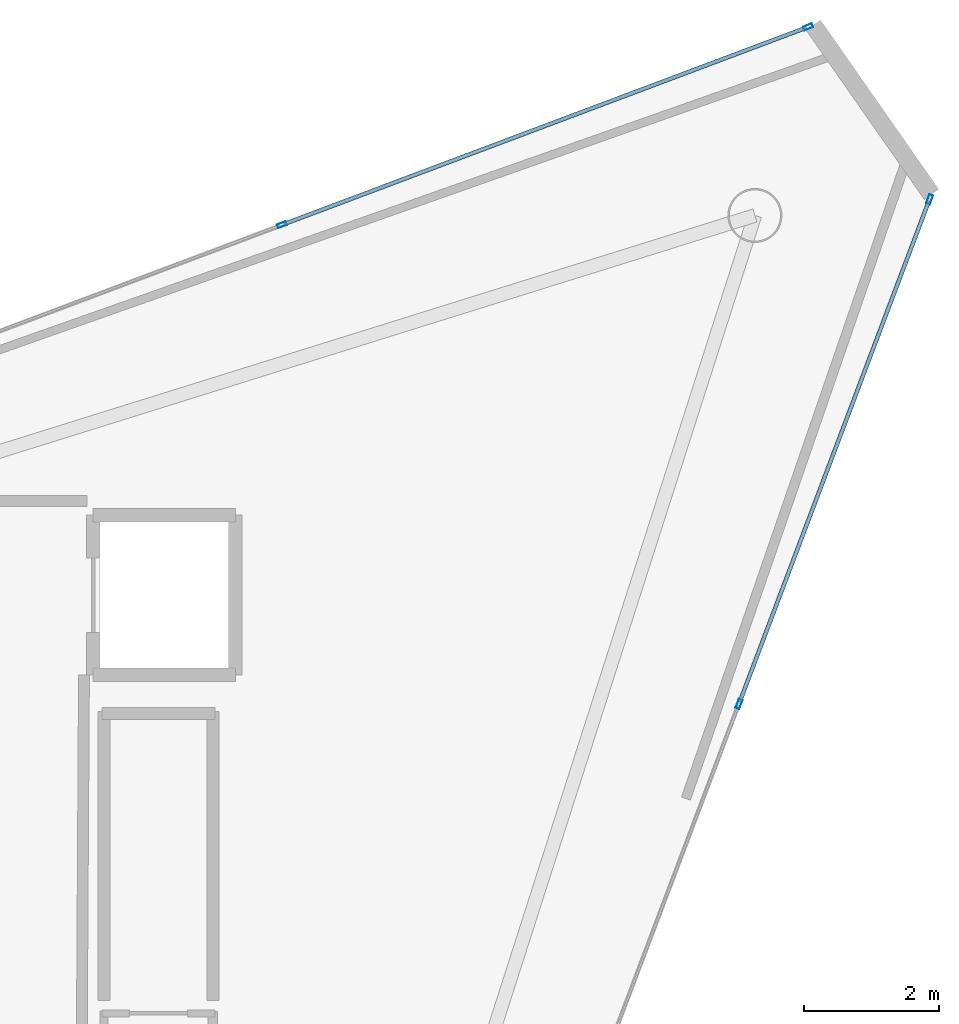
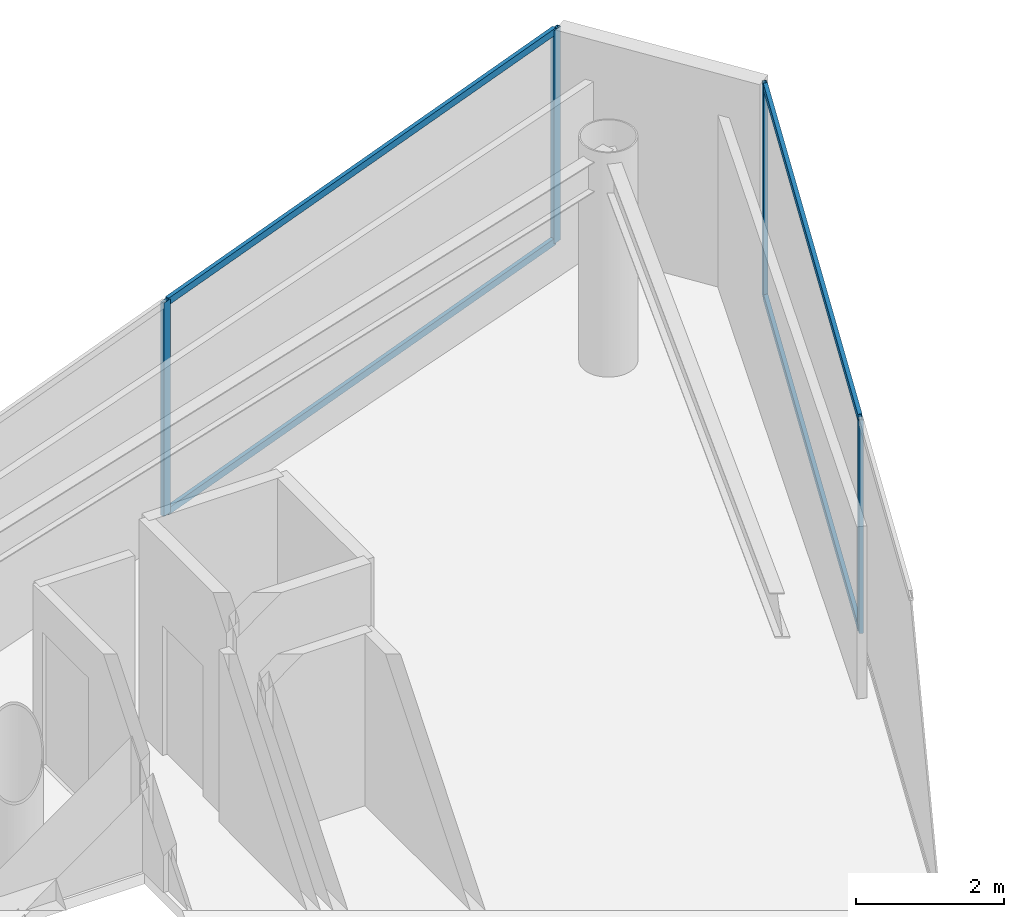
# One storey, part 14 of 19: 8 members, 2 elements without a shape of their own.
"""IFC4 building model written with IfcOpenShell, lengths in metres."""

from ifc_helpers import new_model, si_unit, direction, frame, origin, origin_2d, place, context, subcontext, project, spatial, hollow_rectangle, extrude, material, layer, layer_set, material_profile, profile_set, type_object, element, aggregate, save


model = new_model("IFC4")

# Units and contexts
model_context = context("Model", 3, precision=1e-05, world=origin(), true_north=direction((0.0, 1.0)))
body_context = subcontext(model_context, "Body", "Model", "MODEL_VIEW")
ifc_project = project(units=[si_unit("LENGTHUNIT", "METRE"), si_unit("AREAUNIT", "SQUARE_METRE"), si_unit("VOLUMEUNIT", "CUBIC_METRE"), si_unit("PLANEANGLEUNIT", "RADIAN"), si_unit("MASSUNIT", "GRAM", prefix="KILO")], contexts=[model_context])

# Site, building, storey
site_placement = place(None, origin())
site = spatial("IfcSite", under=ifc_project, at=site_placement, CompositionType="ELEMENT")
building_placement = place(site_placement, origin())
building = spatial("IfcBuilding", under=site, at=building_placement, Name="Qianvela Tower", CompositionType="ELEMENT")
storey_placement = place(building_placement, frame((0.0, 0.0, 340.699951171875)))
storey = spatial("IfcBuildingStorey", under=building, at=storey_placement, Name="L88", CompositionType="ELEMENT", Elevation=340.699951171875)

# Curtain wall, members
ifc_material_1 = material(Name="Anodised Architectural Aluminium and Low-E Glass", Category="aluminium")
ifc_layer = layer(ifc_material_1, 0.14990234375)
ifc_layer_set = layer_set([ifc_layer], Name="Anodised Architectural Aluminium and Low-E Glass")
curtain_wall_type = type_object("IfcCurtainWallType", Name="CW-COLIV-Z78", PredefinedType="USERDEFINED", material=ifc_layer_set)
curtain_wall_1_placement = place(storey_placement, origin())
curtain_wall_1 = element("IfcCurtainWall", 1, at=curtain_wall_1_placement, inside=storey, type_object=curtain_wall_type, Name="L88 CW-COLIV-Z78 Curtain Wall 02A", ObjectType="CURTAIN_WALL_SYSTEM", PredefinedType="USERDEFINED")
ifc_material_2 = material(Name="Anodised Architectural Aluminium 6063-T6", Category="aluminium")
ifc_material_profile_1 = material_profile(ifc_material_2, hollow_rectangle(XDim=0.06005859375, YDim=0.139892578125, WallThickness=0.00439453125, at=origin_2d()), Name="ALU-MULL-60x140")
ifc_profile_set_1 = profile_set([ifc_material_profile_1], Name="Anodised Architectural Aluminium 6063-T6")
member_type_1 = type_object("IfcMemberType", Name="CW-COLIV-Z78-MULL", PredefinedType="MULLION", material=ifc_profile_set_1)
member_1_placement = place(storey_placement, frame((52.014404296875, 42.493896484375, 0.0), z_axis=(0.0, 0.0, 1.0), x_axis=(0.351955574694, -0.936016705749, 0.0)))
member_1 = element("IfcMember", 2, at=member_1_placement, type_object=member_type_1, Name="CW-6 mullion 1", PredefinedType="MULLION", context=body_context, shape_type="SweptSolid", body=[
    extrude(hollow_rectangle(XDim=0.06005859375, YDim=0.139892578125, WallThickness=0.00439453125, at=origin_2d()), origin(), (0.0, 0.0, 1.0), 3.52001953125),
])
member_2_placement = place(storey_placement, frame((44.24072265625, 39.57080078125, 0.0), z_axis=(0.0, 0.0, 1.0), x_axis=(0.351955574694, -0.936016705749, 0.0)))
member_2 = element("IfcMember", 3, at=member_2_placement, type_object=member_type_1, Name="CW-6 mullion 2", PredefinedType="MULLION", context=body_context, shape_type="SweptSolid", body=[
    extrude(hollow_rectangle(XDim=0.06005859375, YDim=0.139892578125, WallThickness=0.00439453125, at=origin_2d()), origin(), (0.0, 0.0, 1.0), 3.52001953125),
])

curtain_wall_2_placement = place(storey_placement, origin())
curtain_wall_2 = element("IfcCurtainWall", 4, at=curtain_wall_2_placement, inside=storey, type_object=curtain_wall_type, Name="L88 CW-COLIV-Z78 Curtain Wall 06C", ObjectType="CURTAIN_WALL_SYSTEM", PredefinedType="USERDEFINED")
member_3_placement = place(storey_placement, frame((50.992919921875, 32.49072265625, 0.0), z_axis=(0.0, 0.0, 1.0), x_axis=(-0.935524249772, 0.353262477612, 0.0)))
member_3 = element("IfcMember", 5, at=member_3_placement, type_object=member_type_1, Name="CW-6 mullion 2", PredefinedType="MULLION", context=body_context, shape_type="SweptSolid", body=[
    extrude(hollow_rectangle(XDim=0.06005859375, YDim=0.139892578125, WallThickness=0.00439453125, at=origin_2d()), origin(), (0.0, 0.0, 1.0), 3.52001953125),
])
member_4_placement = place(storey_placement, frame((53.80810546875, 39.946044921875, 0.0), z_axis=(0.0, 0.0, 1.0), x_axis=(-0.935524249772, 0.353262477612, 0.0)))
member_4 = element("IfcMember", 6, at=member_4_placement, type_object=member_type_1, Name="CW-6 mullion 3", PredefinedType="MULLION", context=body_context, shape_type="SweptSolid", body=[
    extrude(hollow_rectangle(XDim=0.06005859375, YDim=0.139892578125, WallThickness=0.00439453125, at=origin_2d()), origin(), (0.0, 0.0, 1.0), 3.52001953125),
])

# Member
ifc_material_3 = material(Name="Anodised Architectural Aluminium 6063-T6", Category="aluminium")
ifc_material_profile_2 = material_profile(ifc_material_3, hollow_rectangle(XDim=0.06005859375, YDim=0.114990234375, WallThickness=0.00390625, at=origin_2d()), Name="ALU-TRAN-60x115")
ifc_profile_set_2 = profile_set([ifc_material_profile_2], Name="Anodised Architectural Aluminium 6063-T6")
member_type_2 = type_object("IfcMemberType", Name="CW-COLIV-Z78-TRAN", PredefinedType="USERDEFINED", material=ifc_profile_set_2)
member_5_placement = place(storey_placement, frame((51.986328125, 42.4833984375, 0.030029296875), z_axis=(-0.936008754861, -0.351976719149, 0.0), x_axis=(0.351976719149, -0.936008754861, 0.0)))
member_5 = element("IfcMember", 7, at=member_5_placement, type_object=member_type_2, Name="CW-6 transom 1.1", ObjectType="TRANSOM", PredefinedType="USERDEFINED", context=body_context, shape_type="SweptSolid", body=[
    extrude(hollow_rectangle(XDim=0.06005859375, YDim=0.114990234375, WallThickness=0.00390625, at=origin_2d()), origin(), (0.0, 0.0, 1.0), 8.2451171875),
])

member_6_placement = place(storey_placement, frame((51.986328125, 42.4833984375, 3.489990234375), z_axis=(-0.936008754861, -0.351976719149, 0.0), x_axis=(0.351976719149, -0.936008754861, 0.0)))
member_6 = element("IfcMember", 8, at=member_6_placement, type_object=member_type_2, Name="CW-6 transom 1.2", ObjectType="TRANSOM", PredefinedType="USERDEFINED", context=body_context, shape_type="SweptSolid", body=[
    extrude(hollow_rectangle(XDim=0.06005859375, YDim=0.114990234375, WallThickness=0.00390625, at=origin_2d()), origin(), (0.0, 0.0, 1.0), 8.2451171875),
])

aggregate(curtain_wall_1, [member_1, member_2, member_5, member_6])

member_7_placement = place(storey_placement, frame((51.00341796875, 32.518798828125, 0.030029296875), z_axis=(0.353284110697, 0.935516080636, 0.0), x_axis=(-0.935516080636, 0.353284110697, 0.0)))
member_7 = element("IfcMember", 9, at=member_7_placement, type_object=member_type_2, Name="CW-6 transom 2.1", ObjectType="TRANSOM", PredefinedType="USERDEFINED", context=body_context, shape_type="SweptSolid", body=[
    extrude(hollow_rectangle(XDim=0.06005859375, YDim=0.114990234375, WallThickness=0.00390625, at=origin_2d()), origin(), (0.0, 0.0, 1.0), 7.9091796875),
])

member_8_placement = place(storey_placement, frame((51.00341796875, 32.518798828125, 3.489990234375), z_axis=(0.353284110697, 0.935516080636, 0.0), x_axis=(-0.935516080636, 0.353284110697, 0.0)))
member_8 = element("IfcMember", 10, at=member_8_placement, type_object=member_type_2, Name="CW-6 transom 2.2", ObjectType="TRANSOM", PredefinedType="USERDEFINED", context=body_context, shape_type="SweptSolid", body=[
    extrude(hollow_rectangle(XDim=0.06005859375, YDim=0.114990234375, WallThickness=0.00390625, at=origin_2d()), origin(), (0.0, 0.0, 1.0), 7.9091796875),
])

aggregate(curtain_wall_2, [member_3, member_4, member_7, member_8])

save(model, "model.ifc")
